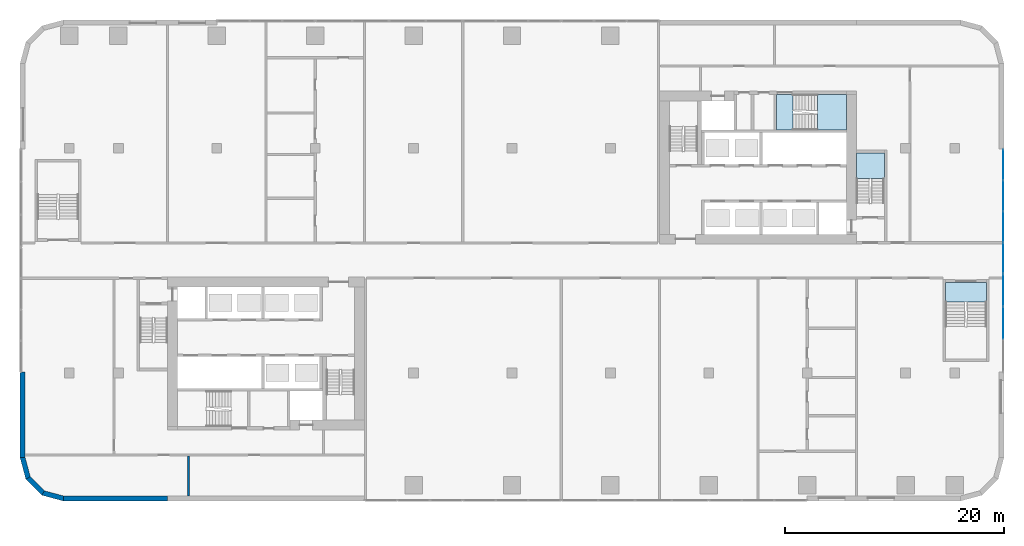
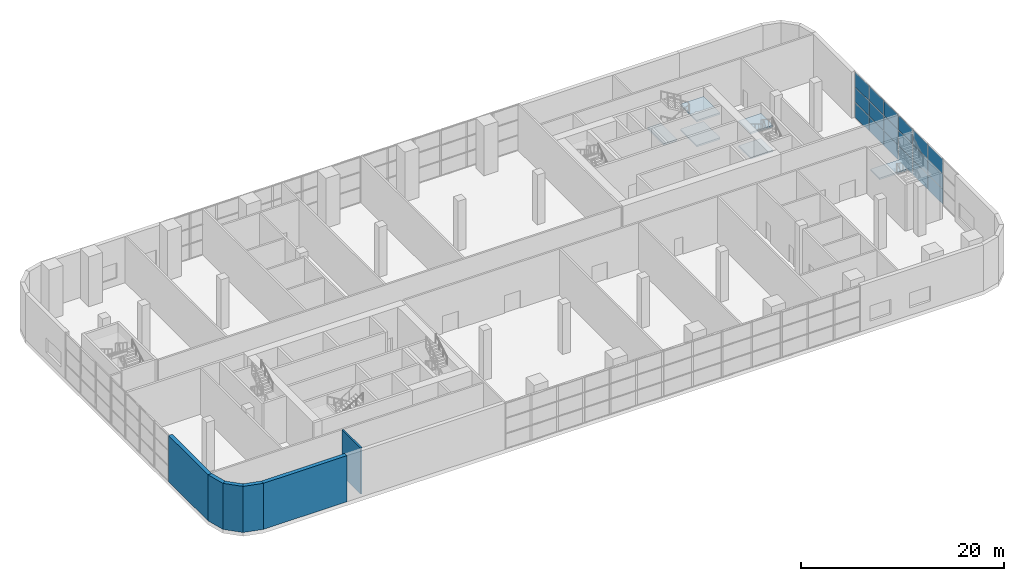
# One storey, part 11 of 27: 18 plates, 6 slabs, 6 walls, 5 elements without a shape of their own.
"""IFC4 building model written with IfcOpenShell, lengths in metres."""

from ifc_helpers import new_model, si_unit, direction, frame, frame_2d, origin, origin_2d, place, context, subcontext, project, spatial, polyline, rectangle, outline, extrude, material, layer, layer_set, type_object, element, aggregate, save


model = new_model("IFC4")

# Units and contexts
model_context = context("Model", 3, precision=1e-05, world=origin(), true_north=direction((0.0, 1.0)))
body_context = subcontext(model_context, "Body", "Model", "MODEL_VIEW")
ifc_project = project(units=[si_unit("LENGTHUNIT", "METRE"), si_unit("AREAUNIT", "SQUARE_METRE"), si_unit("VOLUMEUNIT", "CUBIC_METRE"), si_unit("PLANEANGLEUNIT", "RADIAN"), si_unit("MASSUNIT", "GRAM", prefix="KILO")], contexts=[model_context])

# Site, building, storey
site_placement = place(None, origin())
site = spatial("IfcSite", under=ifc_project, at=site_placement, CompositionType="ELEMENT")
building_placement = place(site_placement, origin())
building = spatial("IfcBuilding", under=site, at=building_placement, Name="Kajstack Hotel Tower", CompositionType="ELEMENT")
storey_placement = place(building_placement, frame((0.0, 0.0, 11.0)))
storey = spatial("IfcBuildingStorey", under=building, at=storey_placement, Name="L01", CompositionType="ELEMENT", Elevation=11.0)

# Curtain wall, plates
ifc_material_1 = material(Name="Aluminium-framed curtain wall, low-iron glass", Category="aluminium")
curtain_wall_type = type_object("IfcCurtainWallType", Name="CW-LOBBY", PredefinedType="NOTDEFINED", material=ifc_material_1)
curtain_wall_1_placement = place(storey_placement, origin())
curtain_wall_1 = element("IfcCurtainWall", 1, at=curtain_wall_1_placement, inside=storey, type_object=curtain_wall_type, Name="Curtain wall CU1 L01-07-01-0", PredefinedType="NOTDEFINED")
ifc_material_2 = material(Name="Low-iron glass", Category="glass")
ifc_layer_1 = layer(ifc_material_2, 0.031982421875)
ifc_layer_set_1 = layer_set([ifc_layer_1], Name="CW-P-LOBBY")
plate_type = type_object("IfcPlateType", Name="CW-P-LOBBY", PredefinedType="CURTAIN_PANEL", material=ifc_layer_set_1)
plate_1_placement = place(storey_placement, frame((44.925048828125, -5.699951171875, 0.06005859375), z_axis=(0.0, 0.0, 1.0), x_axis=(0.0, 1.0, 0.0)))
plate_1 = element("IfcPlate", 2, at=plate_1_placement, type_object=plate_type, Name="CU1 panel 2.1", PredefinedType="CURTAIN_PANEL", context=body_context, shape_type="SweptSolid", body=[
    extrude(rectangle(XDim=2.93994140625, YDim=0.031982421875, at=origin_2d()), origin(), (0.0, 0.0, 1.0), 1.760009765625),
])
plate_2_placement = place(storey_placement, frame((44.925048828125, -5.699951171875, 1.8798828125), z_axis=(0.0, 0.0, 1.0), x_axis=(0.0, 1.0, 0.0)))
plate_2 = element("IfcPlate", 3, at=plate_2_placement, type_object=plate_type, Name="CU1 panel 2.2", PredefinedType="CURTAIN_PANEL", context=body_context, shape_type="SweptSolid", body=[
    extrude(rectangle(XDim=2.93994140625, YDim=0.031982421875, at=origin_2d()), origin(), (0.0, 0.0, 1.0), 1.7900390625),
])
plate_3_placement = place(storey_placement, frame((44.925048828125, -5.699951171875, 3.72998046875), z_axis=(0.0, 0.0, 1.0), x_axis=(0.0, 1.0, 0.0)))
plate_3 = element("IfcPlate", 4, at=plate_3_placement, type_object=plate_type, Name="CU1 panel 2.3", PredefinedType="CURTAIN_PANEL", context=body_context, shape_type="SweptSolid", body=[
    extrude(rectangle(XDim=2.93994140625, YDim=0.031982421875, at=origin_2d()), origin(), (0.0, 0.0, 1.0), 1.760009765625),
])
plate_4_placement = place(storey_placement, frame((44.925048828125, -2.715087890625, 0.06005859375), z_axis=(0.0, 0.0, 1.0), x_axis=(0.0, 1.0, 0.0)))
plate_4 = element("IfcPlate", 5, at=plate_4_placement, type_object=plate_type, Name="CU1 panel 3.1", PredefinedType="CURTAIN_PANEL", context=body_context, shape_type="SweptSolid", body=[
    extrude(rectangle(XDim=2.909912109375, YDim=0.031982421875, at=origin_2d()), origin(), (0.0, 0.0, 1.0), 1.760009765625),
])
plate_5_placement = place(storey_placement, frame((44.925048828125, -2.715087890625, 1.8798828125), z_axis=(0.0, 0.0, 1.0), x_axis=(0.0, 1.0, 0.0)))
plate_5 = element("IfcPlate", 6, at=plate_5_placement, type_object=plate_type, Name="CU1 panel 3.2", PredefinedType="CURTAIN_PANEL", context=body_context, shape_type="SweptSolid", body=[
    extrude(rectangle(XDim=2.909912109375, YDim=0.031982421875, at=origin_2d()), origin(), (0.0, 0.0, 1.0), 1.7900390625),
])
plate_6_placement = place(storey_placement, frame((44.925048828125, -2.715087890625, 3.72998046875), z_axis=(0.0, 0.0, 1.0), x_axis=(0.0, 1.0, 0.0)))
plate_6 = element("IfcPlate", 7, at=plate_6_placement, type_object=plate_type, Name="CU1 panel 3.3", PredefinedType="CURTAIN_PANEL", context=body_context, shape_type="SweptSolid", body=[
    extrude(rectangle(XDim=2.909912109375, YDim=0.031982421875, at=origin_2d()), origin(), (0.0, 0.0, 1.0), 1.760009765625),
])
aggregate(curtain_wall_1, [plate_1, plate_2, plate_3, plate_4, plate_5, plate_6])

curtain_wall_2_placement = place(storey_placement, origin())
curtain_wall_2 = element("IfcCurtainWall", 8, at=curtain_wall_2_placement, inside=storey, type_object=curtain_wall_type, Name="Curtain wall CU1 L01-07-01-1", PredefinedType="NOTDEFINED")
plate_7_placement = place(storey_placement, frame((44.925048828125, 0.239990234375, 0.06005859375), z_axis=(0.0, 0.0, 1.0), x_axis=(0.0, 1.0, 0.0)))
plate_7 = element("IfcPlate", 9, at=plate_7_placement, type_object=plate_type, Name="CU1 panel 1.1", PredefinedType="CURTAIN_PANEL", context=body_context, shape_type="SweptSolid", body=[
    extrude(rectangle(XDim=2.760009765625, YDim=0.031982421875, at=origin_2d()), origin(), (0.0, 0.0, 1.0), 1.760009765625),
])
plate_8_placement = place(storey_placement, frame((44.925048828125, 0.239990234375, 1.8798828125), z_axis=(0.0, 0.0, 1.0), x_axis=(0.0, 1.0, 0.0)))
plate_8 = element("IfcPlate", 10, at=plate_8_placement, type_object=plate_type, Name="CU1 panel 1.2", PredefinedType="CURTAIN_PANEL", context=body_context, shape_type="SweptSolid", body=[
    extrude(rectangle(XDim=2.760009765625, YDim=0.031982421875, at=origin_2d()), origin(), (0.0, 0.0, 1.0), 1.7900390625),
])
plate_9_placement = place(storey_placement, frame((44.925048828125, 0.239990234375, 3.72998046875), z_axis=(0.0, 0.0, 1.0), x_axis=(0.0, 1.0, 0.0)))
plate_9 = element("IfcPlate", 11, at=plate_9_placement, type_object=plate_type, Name="CU1 panel 1.3", PredefinedType="CURTAIN_PANEL", context=body_context, shape_type="SweptSolid", body=[
    extrude(rectangle(XDim=2.760009765625, YDim=0.031982421875, at=origin_2d()), origin(), (0.0, 0.0, 1.0), 1.760009765625),
])
plate_10_placement = place(storey_placement, frame((44.925048828125, 3.074951171875, 0.06005859375), z_axis=(0.0, 0.0, 1.0), x_axis=(0.0, 1.0, 0.0)))
plate_10 = element("IfcPlate", 12, at=plate_10_placement, type_object=plate_type, Name="CU1 panel 2.1", PredefinedType="CURTAIN_PANEL", context=body_context, shape_type="SweptSolid", body=[
    extrude(rectangle(XDim=2.7900390625, YDim=0.031982421875, at=origin_2d()), origin(), (0.0, 0.0, 1.0), 1.760009765625),
])
plate_11_placement = place(storey_placement, frame((44.925048828125, 3.074951171875, 1.8798828125), z_axis=(0.0, 0.0, 1.0), x_axis=(0.0, 1.0, 0.0)))
plate_11 = element("IfcPlate", 13, at=plate_11_placement, type_object=plate_type, Name="CU1 panel 2.2", PredefinedType="CURTAIN_PANEL", context=body_context, shape_type="SweptSolid", body=[
    extrude(rectangle(XDim=2.7900390625, YDim=0.031982421875, at=origin_2d()), origin(), (0.0, 0.0, 1.0), 1.7900390625),
])
plate_12_placement = place(storey_placement, frame((44.925048828125, 3.074951171875, 3.72998046875), z_axis=(0.0, 0.0, 1.0), x_axis=(0.0, 1.0, 0.0)))
plate_12 = element("IfcPlate", 14, at=plate_12_placement, type_object=plate_type, Name="CU1 panel 2.3", PredefinedType="CURTAIN_PANEL", context=body_context, shape_type="SweptSolid", body=[
    extrude(rectangle(XDim=2.7900390625, YDim=0.031982421875, at=origin_2d()), origin(), (0.0, 0.0, 1.0), 1.760009765625),
])
plate_13_placement = place(storey_placement, frame((44.925048828125, 5.925048828125, 0.06005859375), z_axis=(0.0, 0.0, 1.0), x_axis=(0.0, 1.0, 0.0)))
plate_13 = element("IfcPlate", 15, at=plate_13_placement, type_object=plate_type, Name="CU1 panel 3.1", PredefinedType="CURTAIN_PANEL", context=body_context, shape_type="SweptSolid", body=[
    extrude(rectangle(XDim=2.7900390625, YDim=0.031982421875, at=origin_2d()), origin(), (0.0, 0.0, 1.0), 1.760009765625),
])
plate_14_placement = place(storey_placement, frame((44.925048828125, 5.925048828125, 1.8798828125), z_axis=(0.0, 0.0, 1.0), x_axis=(0.0, 1.0, 0.0)))
plate_14 = element("IfcPlate", 16, at=plate_14_placement, type_object=plate_type, Name="CU1 panel 3.2", PredefinedType="CURTAIN_PANEL", context=body_context, shape_type="SweptSolid", body=[
    extrude(rectangle(XDim=2.7900390625, YDim=0.031982421875, at=origin_2d()), origin(), (0.0, 0.0, 1.0), 1.7900390625),
])
plate_15_placement = place(storey_placement, frame((44.925048828125, 5.925048828125, 3.72998046875), z_axis=(0.0, 0.0, 1.0), x_axis=(0.0, 1.0, 0.0)))
plate_15 = element("IfcPlate", 17, at=plate_15_placement, type_object=plate_type, Name="CU1 panel 3.3", PredefinedType="CURTAIN_PANEL", context=body_context, shape_type="SweptSolid", body=[
    extrude(rectangle(XDim=2.7900390625, YDim=0.031982421875, at=origin_2d()), origin(), (0.0, 0.0, 1.0), 1.760009765625),
])
plate_16_placement = place(storey_placement, frame((44.925048828125, 8.760009765625, 0.06005859375), z_axis=(0.0, 0.0, 1.0), x_axis=(0.0, 1.0, 0.0)))
plate_16 = element("IfcPlate", 18, at=plate_16_placement, type_object=plate_type, Name="CU1 panel 4.1", PredefinedType="CURTAIN_PANEL", context=body_context, shape_type="SweptSolid", body=[
    extrude(rectangle(XDim=2.760009765625, YDim=0.031982421875, at=origin_2d()), origin(), (0.0, 0.0, 1.0), 1.760009765625),
])
plate_17_placement = place(storey_placement, frame((44.925048828125, 8.760009765625, 1.8798828125), z_axis=(0.0, 0.0, 1.0), x_axis=(0.0, 1.0, 0.0)))
plate_17 = element("IfcPlate", 19, at=plate_17_placement, type_object=plate_type, Name="CU1 panel 4.2", PredefinedType="CURTAIN_PANEL", context=body_context, shape_type="SweptSolid", body=[
    extrude(rectangle(XDim=2.760009765625, YDim=0.031982421875, at=origin_2d()), origin(), (0.0, 0.0, 1.0), 1.7900390625),
])
plate_18_placement = place(storey_placement, frame((44.925048828125, 8.760009765625, 3.72998046875), z_axis=(0.0, 0.0, 1.0), x_axis=(0.0, 1.0, 0.0)))
plate_18 = element("IfcPlate", 20, at=plate_18_placement, type_object=plate_type, Name="CU1 panel 4.3", PredefinedType="CURTAIN_PANEL", context=body_context, shape_type="SweptSolid", body=[
    extrude(rectangle(XDim=2.760009765625, YDim=0.031982421875, at=origin_2d()), origin(), (0.0, 0.0, 1.0), 1.760009765625),
])
aggregate(curtain_wall_2, [plate_7, plate_8, plate_9, plate_10, plate_11, plate_12, plate_13, plate_14, plate_15, plate_16, plate_17, plate_18])

# Stair, slabs
ifc_material_3 = material(Name="Concrete C40/50", Category="concrete")
stair_type_1 = type_object("IfcStairType", Name="Exit stair 1200", PredefinedType="HALF_TURN_STAIR", material=ifc_material_3)
stair_1_placement = place(storey_placement, origin())
stair_1 = element("IfcStair", 21, at=stair_1_placement, inside=storey, type_object=stair_type_1, Name="L01 stair E1", PredefinedType="HALF_TURN_STAIR")
ifc_layer_2 = layer(ifc_material_3, 0.199951171875)
ifc_layer_set_2 = layer_set([ifc_layer_2], Name="Stair landing 200")
slab_type = type_object("IfcSlabType", Name="Stair landing 200", PredefinedType="LANDING", material=ifc_layer_set_2)
slab_1_placement = place(storey_placement, frame((0.0, 0.0, 1.300048828125)))
slab_1 = element("IfcSlab", 22, at=slab_1_placement, type_object=slab_type, Name="E1 landing 1", PredefinedType="LANDING", context=body_context, shape_type="SweptSolid", body=[
    extrude(outline(polyline([(34.050048828125, 7.489990234375), (34.050048828125, 9.85009765625), (31.5, 9.85009765625), (31.5, 7.489990234375), (34.050048828125, 7.489990234375)])), origin(), (0.0, 0.0, 1.0), 0.199951171875),
])
slab_2_placement = place(storey_placement, frame((0.0, 0.0, 4.300048828125)))
slab_2 = element("IfcSlab", 23, at=slab_2_placement, type_object=slab_type, Name="E1 landing 3", PredefinedType="LANDING", context=body_context, shape_type="SweptSolid", body=[
    extrude(outline(polyline([(34.050048828125, 7.489990234375), (34.050048828125, 9.85009765625), (31.5, 9.85009765625), (31.5, 7.489990234375), (34.050048828125, 7.489990234375)])), origin(), (0.0, 0.0, 1.0), 0.199951171875),
])
aggregate(stair_1, [slab_1, slab_2])

stair_type_2 = type_object("IfcStairType", Name="Exit stair 1500", PredefinedType="HALF_TURN_STAIR", material=ifc_material_3)
stair_2_placement = place(storey_placement, origin())
stair_2 = element("IfcStair", 24, at=stair_2_placement, inside=storey, type_object=stair_type_2, Name="L01 stair E3", PredefinedType="HALF_TURN_STAIR")
slab_3_placement = place(storey_placement, frame((0.0, 0.0, 1.300048828125)))
slab_3 = element("IfcSlab", 25, at=slab_3_placement, type_object=slab_type, Name="E3 landing 1", PredefinedType="LANDING", context=body_context, shape_type="SweptSolid", body=[
    extrude(outline(polyline([(27.93994140625, 11.949951171875), (30.60009765625, 11.949951171875), (30.60009765625, 15.199951171875), (27.93994140625, 15.199951171875), (27.93994140625, 11.949951171875)])), origin(), (0.0, 0.0, 1.0), 0.199951171875),
])
slab_4_placement = place(storey_placement, frame((0.0, 0.0, 2.800048828125)))
slab_4 = element("IfcSlab", 26, at=slab_4_placement, type_object=slab_type, Name="E3 landing 2", PredefinedType="LANDING", context=body_context, shape_type="SweptSolid", body=[
    extrude(outline(polyline([(24.199951171875, 11.949951171875), (25.699951171875, 11.949951171875), (25.699951171875, 15.199951171875), (24.199951171875, 15.199951171875), (24.199951171875, 11.949951171875)])), origin(), (0.0, 0.0, 1.0), 0.199951171875),
])
slab_5_placement = place(storey_placement, frame((0.0, 0.0, 4.300048828125)))
slab_5 = element("IfcSlab", 27, at=slab_5_placement, type_object=slab_type, Name="E3 landing 3", PredefinedType="LANDING", context=body_context, shape_type="SweptSolid", body=[
    extrude(outline(polyline([(27.93994140625, 11.949951171875), (30.60009765625, 11.949951171875), (30.60009765625, 15.199951171875), (27.93994140625, 15.199951171875), (27.93994140625, 11.949951171875)])), origin(), (0.0, 0.0, 1.0), 0.199951171875),
])
aggregate(stair_2, [slab_3, slab_4, slab_5])

# Stair, slab
stair_type_3 = type_object("IfcStairType", Name="Escape stair 1800", PredefinedType="HALF_TURN_STAIR", material=ifc_material_3)
stair_3_placement = place(storey_placement, origin())
stair_3 = element("IfcStair", 28, at=stair_3_placement, inside=storey, type_object=stair_type_3, Name="L01 stair P2", PredefinedType="HALF_TURN_STAIR")
slab_6_placement = place(storey_placement, frame((0.0, 0.0, 2.800048828125)))
slab_6 = element("IfcSlab", 29, at=slab_6_placement, type_object=slab_type, Name="P2 landing 2", PredefinedType="LANDING", context=body_context, shape_type="SweptSolid", body=[
    extrude(outline(polyline([(39.64990234375, -2.0), (39.64990234375, -3.800048828125), (43.39990234375, -3.800048828125), (43.39990234375, -2.0), (39.64990234375, -2.0)])), origin(), (0.0, 0.0, 1.0), 0.199951171875),
])
aggregate(stair_3, [slab_6])

# Walls
ifc_material_4 = material(Name="Terracotta-faced brick masonry", Category="masonry")
ifc_layer_3 = layer(ifc_material_4, 0.449951171875)
ifc_layer_set_3 = layer_set([ifc_layer_3], Name="EW-TERRA")
wall_type_1 = type_object("IfcWallType", Name="EW-TERRA", PredefinedType="SOLIDWALL", material=ifc_layer_set_3)
wall_1_placement = place(storey_placement, frame((-44.78271484375, -17.941650390625, 0.0), z_axis=(0.0, 0.0, 1.0), x_axis=(0.25881466832, -0.965926999034, 0.0)))
element("IfcWall", 30, at=wall_1_placement, inside=storey, type_object=wall_type_1, Name="E-wall-L01-00-00", PredefinedType="SOLIDWALL", context=body_context, shape_type="SweptSolid", body=[
    extrude(outline(polyline([(0.000244140625, -0.22509765625), (2.070556640625, -0.224853515625), (1.9501953125, 0.22509765625), (0.12060546875, 0.22509765625), (0.000244140625, -0.22509765625)])), origin(), (0.0, 0.0, 1.0), 5.550048828125),
])
wall_2_placement = place(storey_placement, frame((-44.304931640625, -19.8408203125, 0.0), z_axis=(0.0, 0.0, 1.0), x_axis=(0.707106781187, -0.707106781187, 0.0)))
element("IfcWall", 31, at=wall_2_placement, inside=storey, type_object=wall_type_1, Name="E-wall-L01-01-00", PredefinedType="SOLIDWALL", context=body_context, shape_type="SweptSolid", body=[
    extrude(outline(polyline([(0.0, -0.22509765625), (2.070556640625, -0.22509765625), (1.949951171875, 0.224853515625), (0.12060546875, 0.224853515625), (0.0, -0.22509765625)])), origin(), (0.0, 0.0, 1.0), 5.550048828125),
])
wall_3_placement = place(storey_placement, frame((-42.941650390625, -21.246826171875, 0.0), z_axis=(0.0, 0.0, 1.0), x_axis=(0.965926999034, -0.25881466832, 0.0)))
element("IfcWall", 32, at=wall_3_placement, inside=storey, type_object=wall_type_1, Name="E-wall-L01-02-00", PredefinedType="SOLIDWALL", context=body_context, shape_type="SweptSolid", body=[
    extrude(outline(polyline([(-0.000244140625, -0.224853515625), (2.0703125, -0.22509765625), (1.949951171875, 0.22509765625), (0.120361328125, 0.22509765625), (-0.000244140625, -0.224853515625)])), origin(), (0.0, 0.0, 1.0), 5.550048828125),
])
wall_4_placement = place(storey_placement, frame((-41.0, -21.77490234375, 0.0), z_axis=(0.0, 0.0, 1.0), x_axis=(1.0, 0.0, 0.0)))
element("IfcWall", 33, at=wall_4_placement, inside=storey, type_object=wall_type_1, Name="E-wall-L01-03-00", PredefinedType="SOLIDWALL", context=body_context, shape_type="SweptSolid", body=[
    extrude(rectangle(XDim=9.5, YDim=0.449951171875, at=frame_2d((4.75, 0.0))), origin(), (0.0, 0.0, 1.0), 5.550048828125),
])
wall_5_placement = place(storey_placement, frame((-44.77490234375, -10.199951171875, 0.0), z_axis=(0.0, 0.0, 1.0), x_axis=(0.0, -1.0, 0.0)))
element("IfcWall", 34, at=wall_5_placement, inside=storey, type_object=wall_type_1, Name="E-wall-L01-15-02", PredefinedType="SOLIDWALL", context=body_context, shape_type="SweptSolid", body=[
    extrude(rectangle(XDim=7.800048828125, YDim=0.449951171875, at=frame_2d((3.89990234375, 0.0))), origin(), (0.0, 0.0, 1.0), 5.550048828125),
])
ifc_material_5 = material(Name="Gypsum board on steel studs, mineral wool", Category="steel")
ifc_layer_4 = layer(ifc_material_5, 0.199951171875)
ifc_layer_set_4 = layer_set([ifc_layer_4], Name="Service partition 200")
wall_type_2 = type_object("IfcWallType", Name="Service partition 200", PredefinedType="PARTITIONING", material=ifc_layer_set_4)
wall_6_placement = place(storey_placement, frame((-29.60009765625, -21.550048828125, 0.0), z_axis=(0.0, 0.0, 1.0), x_axis=(0.0, 1.0, 0.0)))
element("IfcWall", 35, at=wall_6_placement, inside=storey, type_object=wall_type_2, Name="Partition W SLP0", PredefinedType="PARTITIONING", context=body_context, shape_type="SweptSolid", body=[
    extrude(rectangle(XDim=3.650146484375, YDim=0.199951171875, at=frame_2d((1.8251953125, 0.0))), origin(), (0.0, 0.0, 1.0), 5.550048828125),
])

save(model, "model.ifc")
